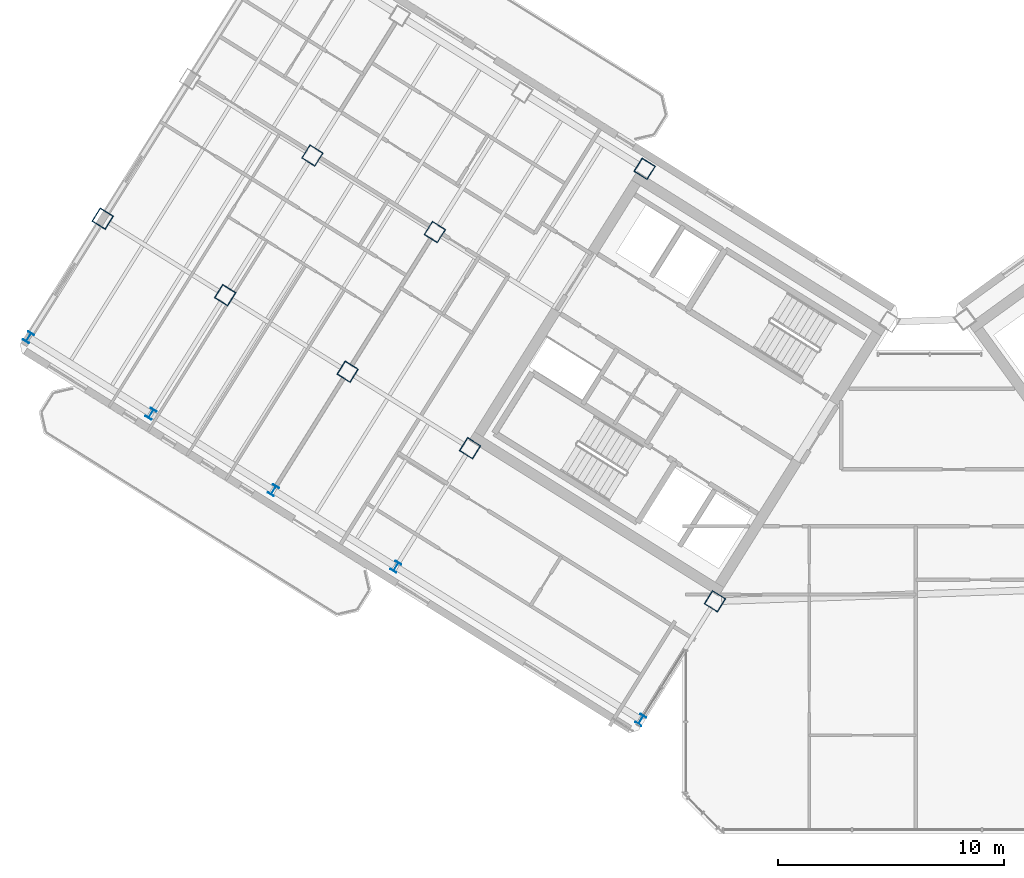
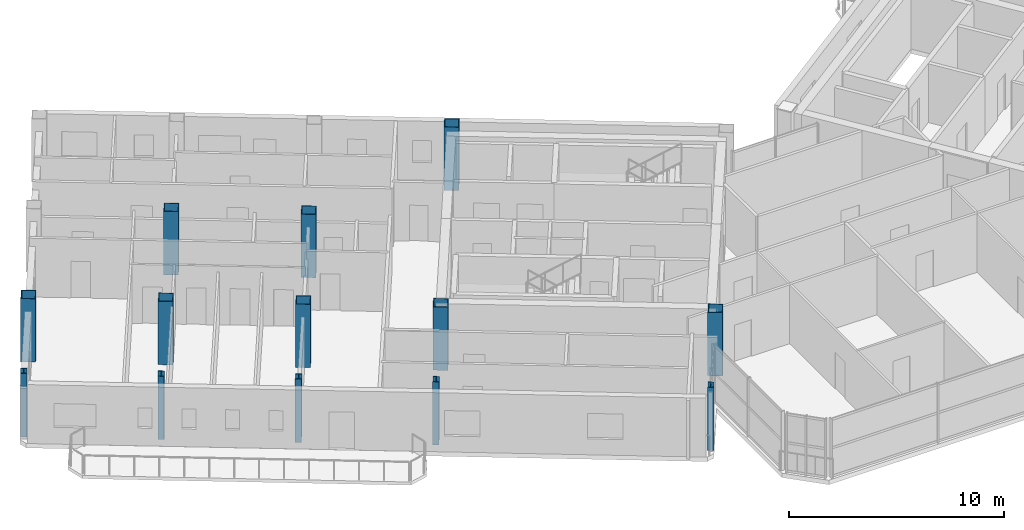
# One storey, part 1 of 25: 13 columns.
"""IFC4 building model written with IfcOpenShell, lengths in metres."""

from ifc_helpers import new_model, si_unit, direction, frame, origin, origin_2d, place, context, subcontext, project, spatial, hollow_rectangle, i_section, extrude, source, transform, mapped, material, material_profile, profile_set, type_object, element, save


model = new_model("IFC4")

# Units and contexts
model_context = context("Model", 3, precision=1e-05, world=origin(), true_north=direction((0.0, 1.0)))
body_context = subcontext(model_context, "Body", "Model", "MODEL_VIEW")
ifc_project = project(units=[si_unit("LENGTHUNIT", "METRE"), si_unit("AREAUNIT", "SQUARE_METRE"), si_unit("VOLUMEUNIT", "CUBIC_METRE"), si_unit("PLANEANGLEUNIT", "RADIAN"), si_unit("MASSUNIT", "GRAM", prefix="KILO")], contexts=[model_context])

# Site, building, storey
site_placement = place(None, origin())
site = spatial("IfcSite", under=ifc_project, at=site_placement, CompositionType="ELEMENT")
building_placement = place(site_placement, origin())
building = spatial("IfcBuilding", under=site, at=building_placement, Name="Tlacorven Tower", CompositionType="ELEMENT")
storey_placement = place(building_placement, frame((0.0, 0.0, 259.199951171875)))
storey = spatial("IfcBuildingStorey", under=building, at=storey_placement, Name="L65", CompositionType="ELEMENT", Elevation=259.199951171875)

# Columns
ifc_material_1 = material(Name="Steel S355J2", Category="steel")
ifc_material_profile_1 = material_profile(ifc_material_1, i_section(OverallWidth=0.300048828125, OverallDepth=0.449951171875, WebThickness=0.013916015625, FlangeThickness=0.02587890625, at=origin_2d()), Name="HEB 450")
ifc_profile_set_1 = profile_set([ifc_material_profile_1], Name="Steel S355J2")
column_type_1 = type_object("IfcColumnType", Name="COL-TWR-P3", PredefinedType="COLUMN", material=ifc_profile_set_1)
shared_shape_1 = source(origin(), body_context, "Body", "SweptSolid", [
    extrude(i_section(OverallWidth=0.300048828125, OverallDepth=0.449951171875, WebThickness=0.013916015625, FlangeThickness=0.02587890625, at=origin_2d()), origin(), (0.0, 0.0, 1.0), 3.60009765625),
])
for number, where, z_axis, x_axis, name in (
    (1, (29.7607421875, 6.8291015625, 0.0), (0.0, 0.0, 1.0), (-0.848048096156, 0.529919264233, 0.0), "L65 column COL-L65-W1-4"),
    (2, (18.905517578125, 13.612060546875, 0.0), (0.0, 0.0, 1.0), (-0.848048096156, 0.529919264233, 0.0), "L65 column COL-L65-W3-4"),
    (3, (13.47802734375, 17.00341796875, 0.0), (0.0, 0.0, 1.0), (-0.848048096156, 0.529919264233, 0.0), "L65 column COL-L65-W4-4"),
    (4, (8.050537109375, 20.39501953125, 0.0), (0.0, 0.0, 1.0), (-0.848048096156, 0.529919264233, 0.0), "L65 column COL-L65-W5-4"),
    (5, (2.623046875, 23.786376953125, 0.0), (0.0, 0.0, 1.0), (-0.848048096156, 0.529919264233, 0.0), "L65 column COL-L65-W6-4"),
):
    element("IfcColumn", number, at=place(storey_placement, frame(where, z_axis=z_axis, x_axis=x_axis)), inside=storey, type_object=column_type_1, Name=name, PredefinedType="COLUMN", context=body_context, shape_type="MappedRepresentation", body=[
        mapped(shared_shape_1, transform((0.0, 0.0, 0.0), scale=1.0)),
    ])
ifc_material_2 = material(Name="Steel S460M", Category="steel")
ifc_material_profile_2 = material_profile(ifc_material_2, hollow_rectangle(XDim=0.699951171875, YDim=0.699951171875, WallThickness=0.028076171875, at=origin_2d()), Name="BOX 700X700X28")
ifc_profile_set_2 = profile_set([ifc_material_profile_2], Name="Steel S460M")
column_type_2 = type_object("IfcColumnType", Name="COL-TWR-S4", PredefinedType="COLUMN", material=ifc_profile_set_2)
shared_shape_2 = source(origin(), body_context, "Body", "SweptSolid", [
    extrude(hollow_rectangle(XDim=0.699951171875, YDim=0.699951171875, WallThickness=0.028076171875, at=origin_2d()), origin(), (0.0, 0.0, 1.0), 3.60009765625),
])
for number, where, z_axis, x_axis, name in (
    (6, (33.046142578125, 12.0869140625, 0.0), (0.0, 0.0, 1.0), (-0.848048096156, 0.529919264233, 0.0), "L65 column COL-L65-W1-3"),
    (7, (29.927978515625, 31.25146484375, 0.0), (0.0, 0.0, 1.0), (-0.848048096156, 0.529919264233, 0.0), "L65 column COL-L65-W3-1"),
    (8, (22.191162109375, 18.869873046875, 0.0), (0.0, 0.0, 1.0), (-0.848048096156, 0.529919264233, 0.0), "L65 column COL-L65-W3-3"),
    (9, (20.632080078125, 28.4521484375, 0.0), (0.0, 0.0, 1.0), (-0.848048096156, 0.529919264233, 0.0), "L65 column COL-L65-W4-2"),
    (10, (16.763671875, 22.26123046875, 0.0), (0.0, 0.0, 1.0), (-0.848048096156, 0.529919264233, 0.0), "L65 column COL-L65-W4-3"),
    (11, (15.20458984375, 31.843505859375, 0.0), (0.0, 0.0, 1.0), (-0.848048096156, 0.529919264233, 0.0), "L65 column COL-L65-W5-2"),
    (12, (11.336181640625, 25.65283203125, 0.0), (0.0, 0.0, 1.0), (-0.848048096156, 0.529919264233, 0.0), "L65 column COL-L65-W5-3"),
    (13, (5.90869140625, 29.044189453125, 0.0), (0.0, 0.0, 1.0), (-0.848048096156, 0.529919264233, 0.0), "L65 column COL-L65-W6-3"),
):
    element("IfcColumn", number, at=place(storey_placement, frame(where, z_axis=z_axis, x_axis=x_axis)), inside=storey, type_object=column_type_2, Name=name, PredefinedType="COLUMN", context=body_context, shape_type="MappedRepresentation", body=[
        mapped(shared_shape_2, transform((0.0, 0.0, 0.0), scale=1.0)),
    ])

save(model, "model.ifc")
